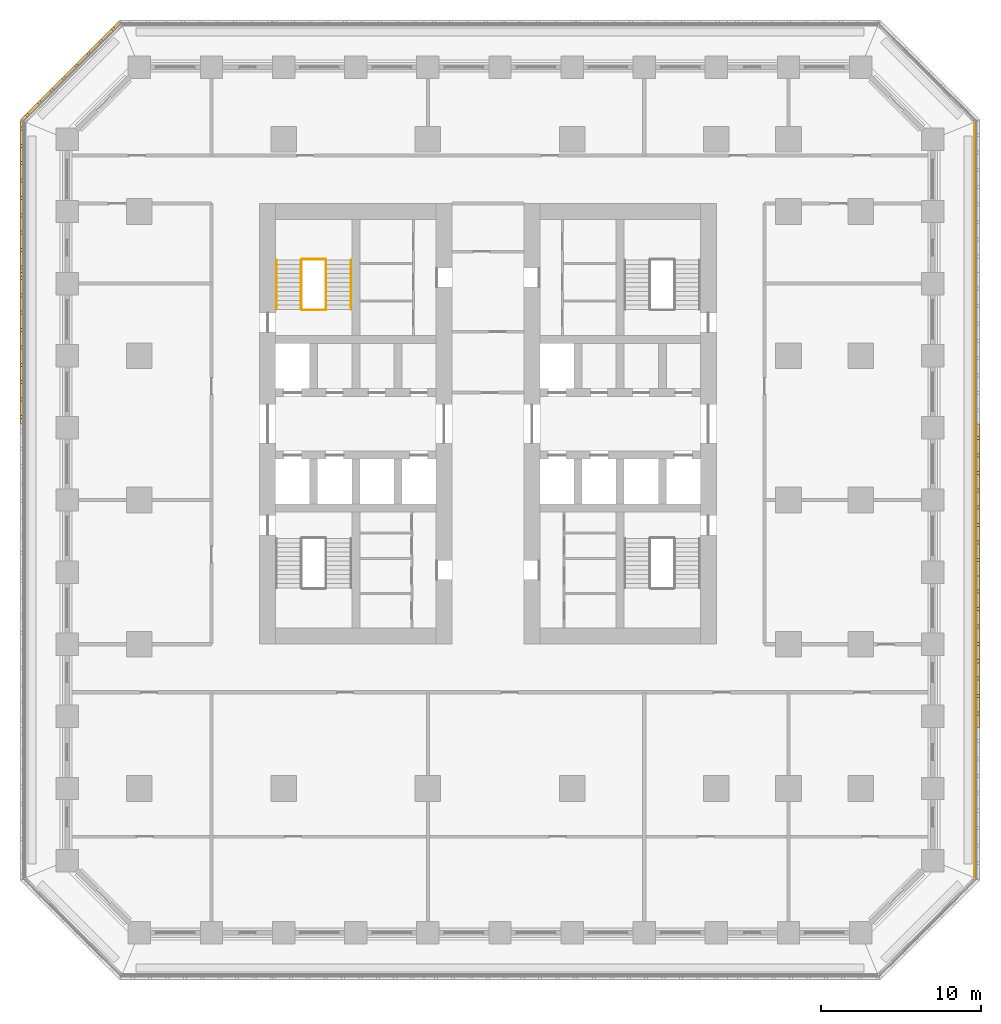
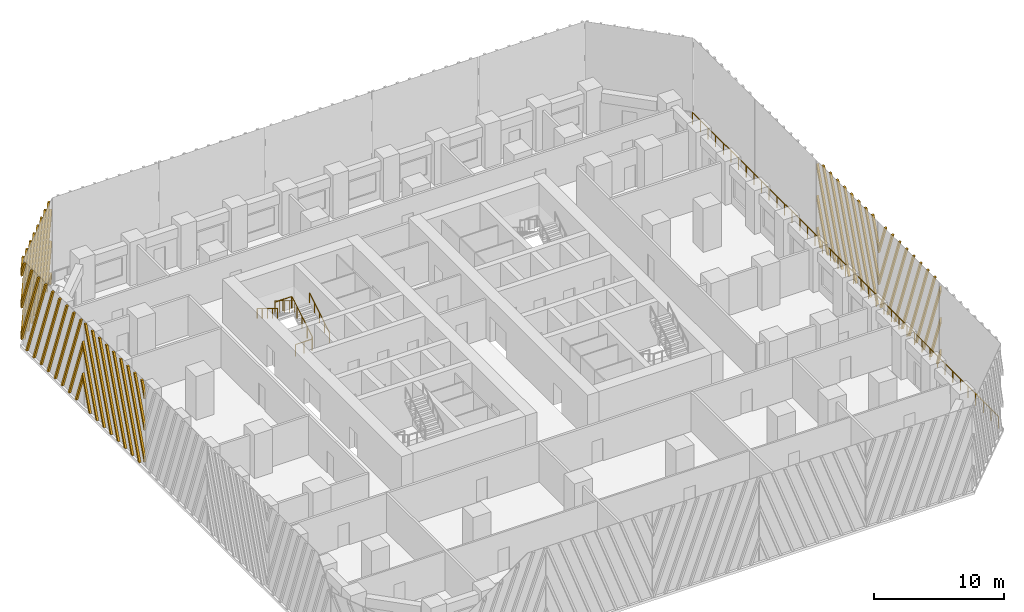
# One storey, part 11 of 14: 7 railings, 5 shading devices.
"""IFC4 building model written with IfcOpenShell, lengths in metres."""

from ifc_helpers import new_model, si_unit, direction, frame, origin, origin_2d, place, context, subcontext, project, spatial, polyline, circle, outline, extrude, source, transform, mapped, material, type_object, element, save


model = new_model("IFC4")

# Units and contexts
model_context = context("Model", 3, precision=1e-05, world=origin(), true_north=direction((0.0, 1.0)))
body_context = subcontext(model_context, "Body", "Model", "MODEL_VIEW")
ifc_project = project(units=[si_unit("LENGTHUNIT", "METRE"), si_unit("AREAUNIT", "SQUARE_METRE"), si_unit("VOLUMEUNIT", "CUBIC_METRE"), si_unit("PLANEANGLEUNIT", "RADIAN"), si_unit("MASSUNIT", "GRAM", prefix="KILO")], contexts=[model_context])

# Site, building, storey
site_placement = place(None, origin())
site = spatial("IfcSite", under=ifc_project, at=site_placement, CompositionType="ELEMENT")
building_placement = place(site_placement, origin())
building = spatial("IfcBuilding", under=site, at=building_placement, Name="Corbel Stack Research Tower", CompositionType="ELEMENT")
storey_placement = place(building_placement, frame((0.0, 0.0, 50.10009765625)))
storey = spatial("IfcBuildingStorey", under=building, at=storey_placement, Name="L11", CompositionType="ELEMENT", Elevation=50.10009765625)

# Railings
ifc_material_1 = material(Name="Steel S355", Category="steel")
railing_type_1 = type_object("IfcRailingType", Name="Stair guard 1100", PredefinedType="GUARDRAIL", material=ifc_material_1)
railing_1_placement = place(storey_placement, frame((-6.35009765625, 11.89990234375, 0.170654296875)))
element("IfcRailing", 1, at=railing_1_placement, inside=storey, type_object=railing_type_1, Name="L11 ST-W2 stair guard 1", PredefinedType="GUARDRAIL", context=body_context, shape_type="SweptSolid", body=[
    extrude(circle(Radius=0.02392578125, at=origin_2d()), frame((0.0, 0.0, 1.076171875), z_axis=(0.0, 0.853666305674, 0.52082035152), x_axis=(-1.0, 0.0, 0.0)), (0.0, 0.0, 1.0), 3.608154296875),
    extrude(circle(Radius=0.02099609375, at=origin_2d()), origin(), (0.0, 0.0, 1.0), 1.052001953125),
    extrude(circle(Radius=0.02099609375, at=origin_2d()), frame((0.0, 0.77001953125, 0.4697265625)), (0.0, 0.0, 1.0), 1.052001953125),
    extrude(circle(Radius=0.02099609375, at=origin_2d()), frame((0.0, 1.5400390625, 0.939453125)), (0.0, 0.0, 1.0), 1.052001953125),
    extrude(circle(Radius=0.02099609375, at=origin_2d()), frame((0.0, 2.31005859375, 1.409423828125)), (0.0, 0.0, 1.0), 1.052001953125),
    extrude(circle(Radius=0.02099609375, at=origin_2d()), frame((0.0, 3.080078125, 1.879150390625)), (0.0, 0.0, 1.0), 1.052001953125),
])
railing_2_placement = place(storey_placement, frame((-6.39990234375, 15.030029296875, 2.0498046875)))
element("IfcRailing", 2, at=railing_2_placement, inside=storey, type_object=railing_type_1, Name="L11 ST-W2 stair guard 2", PredefinedType="GUARDRAIL", context=body_context, shape_type="SweptSolid", body=[
    extrude(circle(Radius=0.02392578125, at=origin_2d()), frame((0.0, 0.0, 1.076171875), z_axis=(-1.0, 0.0, 0.0), x_axis=(0.0, -1.0, 0.0)), (0.0, 0.0, 1.0), 1.4501953125),
    extrude(circle(Radius=0.02099609375, at=origin_2d()), origin(), (0.0, 0.0, 1.0), 1.052001953125),
    extrude(circle(Radius=0.02099609375, at=origin_2d()), frame((-0.72509765625, 0.0, 0.0)), (0.0, 0.0, 1.0), 1.052001953125),
    extrude(circle(Radius=0.02099609375, at=origin_2d()), frame((-1.4501953125, 0.0, 0.0)), (0.0, 0.0, 1.0), 1.052001953125),
])
railing_3_placement = place(storey_placement, frame((-7.89990234375, 14.97998046875, 2.220703125)))
element("IfcRailing", 3, at=railing_3_placement, inside=storey, type_object=railing_type_1, Name="L11 ST-W2 stair guard 3", PredefinedType="GUARDRAIL", context=body_context, shape_type="SweptSolid", body=[
    extrude(circle(Radius=0.02392578125, at=origin_2d()), frame((0.0, 0.0, 1.076171875), z_axis=(0.0, -0.853666305674, 0.52082035152), x_axis=(1.0, 0.0, 0.0)), (0.0, 0.0, 1.0), 3.608154296875),
    extrude(circle(Radius=0.02099609375, at=origin_2d()), origin(), (0.0, 0.0, 1.0), 1.052001953125),
    extrude(circle(Radius=0.02099609375, at=origin_2d()), frame((0.0, -0.77001953125, 0.4697265625)), (0.0, 0.0, 1.0), 1.052001953125),
    extrude(circle(Radius=0.02099609375, at=origin_2d()), frame((0.0, -1.5400390625, 0.939453125)), (0.0, 0.0, 1.0), 1.052001953125),
    extrude(circle(Radius=0.02099609375, at=origin_2d()), frame((0.0, -2.31005859375, 1.409423828125)), (0.0, 0.0, 1.0), 1.052001953125),
    extrude(circle(Radius=0.02099609375, at=origin_2d()), frame((0.0, -3.080078125, 1.879150390625)), (0.0, 0.0, 1.0), 1.052001953125),
])
railing_4_placement = place(storey_placement, frame((-6.39990234375, 11.85009765625, 0.0)))
element("IfcRailing", 4, at=railing_4_placement, inside=storey, type_object=railing_type_1, Name="L11 ST-W2 stair guard 4", PredefinedType="GUARDRAIL", context=body_context, shape_type="SweptSolid", body=[
    extrude(circle(Radius=0.02392578125, at=origin_2d()), frame((0.0, 0.0, 1.076171875), z_axis=(-1.0, 0.0, 0.0), x_axis=(0.0, -1.0, 0.0)), (0.0, 0.0, 1.0), 1.4501953125),
    extrude(circle(Radius=0.02099609375, at=origin_2d()), origin(), (0.0, 0.0, 1.0), 1.052001953125),
    extrude(circle(Radius=0.02099609375, at=origin_2d()), frame((-0.72509765625, 0.0, 0.0)), (0.0, 0.0, 1.0), 1.052001953125),
    extrude(circle(Radius=0.02099609375, at=origin_2d()), frame((-1.4501953125, 0.0, 0.0)), (0.0, 0.0, 1.0), 1.052001953125),
])
ifc_material_2 = material(Name="Steel S355", Category="steel")
railing_type_2 = type_object("IfcRailingType", Name="Stair handrail 900", PredefinedType="HANDRAIL", material=ifc_material_2)
railing_5_placement = place(storey_placement, frame((-4.800048828125, 11.89990234375, 0.170654296875)))
element("IfcRailing", 5, at=railing_5_placement, inside=storey, type_object=railing_type_2, Name="L11 ST-W2 stair handrail 1", PredefinedType="HANDRAIL", context=body_context, shape_type="SweptSolid", body=[
    extrude(circle(Radius=0.02392578125, at=origin_2d()), frame((0.0, 0.0, 0.8759765625), z_axis=(0.0, 0.853666305674, 0.52082035152), x_axis=(-1.0, 0.0, 0.0)), (0.0, 0.0, 1.0), 3.608154296875),
    extrude(circle(Radius=0.02099609375, at=origin_2d()), origin(), (0.0, 0.0, 1.0), 0.851806640625),
    extrude(circle(Radius=0.02099609375, at=origin_2d()), frame((0.0, 0.77001953125, 0.4697265625)), (0.0, 0.0, 1.0), 0.851806640625),
    extrude(circle(Radius=0.02099609375, at=origin_2d()), frame((0.0, 1.5400390625, 0.939453125)), (0.0, 0.0, 1.0), 0.851806640625),
    extrude(circle(Radius=0.02099609375, at=origin_2d()), frame((0.0, 2.31005859375, 1.409423828125)), (0.0, 0.0, 1.0), 0.851806640625),
    extrude(circle(Radius=0.02099609375, at=origin_2d()), frame((0.0, 3.080078125, 1.879150390625)), (0.0, 0.0, 1.0), 0.851806640625),
])
railing_6_placement = place(storey_placement, frame((-9.449951171875, 14.97998046875, 2.220703125)))
element("IfcRailing", 6, at=railing_6_placement, inside=storey, type_object=railing_type_2, Name="L11 ST-W2 stair handrail 2", PredefinedType="HANDRAIL", context=body_context, shape_type="SweptSolid", body=[
    extrude(circle(Radius=0.02392578125, at=origin_2d()), frame((0.0, 0.0, 0.8759765625), z_axis=(0.0, -0.853666305674, 0.52082035152), x_axis=(1.0, 0.0, 0.0)), (0.0, 0.0, 1.0), 3.608154296875),
    extrude(circle(Radius=0.02099609375, at=origin_2d()), origin(), (0.0, 0.0, 1.0), 0.851806640625),
    extrude(circle(Radius=0.02099609375, at=origin_2d()), frame((0.0, -0.77001953125, 0.4697265625)), (0.0, 0.0, 1.0), 0.851806640625),
    extrude(circle(Radius=0.02099609375, at=origin_2d()), frame((0.0, -1.5400390625, 0.939453125)), (0.0, 0.0, 1.0), 0.851806640625),
    extrude(circle(Radius=0.02099609375, at=origin_2d()), frame((0.0, -2.31005859375, 1.409423828125)), (0.0, 0.0, 1.0), 0.851806640625),
    extrude(circle(Radius=0.02099609375, at=origin_2d()), frame((0.0, -3.080078125, 1.879150390625)), (0.0, 0.0, 1.0), 0.851806640625),
])
ifc_material_3 = material(Name="Powder-coated steel guard", Category="steel")
railing_type_3 = type_object("IfcRailingType", Name="Steel and glass guard 1100", PredefinedType="GUARDRAIL", material=ifc_material_3)
railing_7_placement = place(storey_placement, frame((34.10009765625, -23.50537109375, 0.0)))
element("IfcRailing", 7, at=railing_7_placement, inside=storey, type_object=railing_type_3, Name="Loggia guard L11 E", PredefinedType="GUARDRAIL", context=body_context, shape_type="SweptSolid", body=[
    extrude(circle(Radius=0.02392578125, at=origin_2d()), frame((0.0, 0.0, 1.076171875), z_axis=(0.0, 1.0, 0.0), x_axis=(-1.0, 0.0, 0.0)), (0.0, 0.0, 1.0), 47.0107421875),
    extrude(circle(Radius=0.02099609375, at=origin_2d()), origin(), (0.0, 0.0, 1.0), 1.052001953125),
    extrude(circle(Radius=0.02099609375, at=origin_2d()), frame((0.0, 1.17529296875, 0.0)), (0.0, 0.0, 1.0), 1.052001953125),
    extrude(circle(Radius=0.02099609375, at=origin_2d()), frame((0.0, 2.3505859375, 0.0)), (0.0, 0.0, 1.0), 1.052001953125),
    extrude(circle(Radius=0.02099609375, at=origin_2d()), frame((0.0, 3.52587890625, 0.0)), (0.0, 0.0, 1.0), 1.052001953125),
    extrude(circle(Radius=0.02099609375, at=origin_2d()), frame((0.0, 4.701171875, 0.0)), (0.0, 0.0, 1.0), 1.052001953125),
    extrude(circle(Radius=0.02099609375, at=origin_2d()), frame((0.0, 5.87646484375, 0.0)), (0.0, 0.0, 1.0), 1.052001953125),
    extrude(circle(Radius=0.02099609375, at=origin_2d()), frame((0.0, 7.051513671875, 0.0)), (0.0, 0.0, 1.0), 1.052001953125),
    extrude(circle(Radius=0.02099609375, at=origin_2d()), frame((0.0, 8.226806640625, 0.0)), (0.0, 0.0, 1.0), 1.052001953125),
    extrude(circle(Radius=0.02099609375, at=origin_2d()), frame((0.0, 9.402099609375, 0.0)), (0.0, 0.0, 1.0), 1.052001953125),
    extrude(circle(Radius=0.02099609375, at=origin_2d()), frame((0.0, 10.577392578125, 0.0)), (0.0, 0.0, 1.0), 1.052001953125),
    extrude(circle(Radius=0.02099609375, at=origin_2d()), frame((0.0, 11.752685546875, 0.0)), (0.0, 0.0, 1.0), 1.052001953125),
    extrude(circle(Radius=0.02099609375, at=origin_2d()), frame((0.0, 12.927978515625, 0.0)), (0.0, 0.0, 1.0), 1.052001953125),
    extrude(circle(Radius=0.02099609375, at=origin_2d()), frame((0.0, 14.103271484375, 0.0)), (0.0, 0.0, 1.0), 1.052001953125),
    extrude(circle(Radius=0.02099609375, at=origin_2d()), frame((0.0, 15.278564453125, 0.0)), (0.0, 0.0, 1.0), 1.052001953125),
    extrude(circle(Radius=0.02099609375, at=origin_2d()), frame((0.0, 16.453857421875, 0.0)), (0.0, 0.0, 1.0), 1.052001953125),
    extrude(circle(Radius=0.02099609375, at=origin_2d()), frame((0.0, 17.62890625, 0.0)), (0.0, 0.0, 1.0), 1.052001953125),
    extrude(circle(Radius=0.02099609375, at=origin_2d()), frame((0.0, 18.80419921875, 0.0)), (0.0, 0.0, 1.0), 1.052001953125),
    extrude(circle(Radius=0.02099609375, at=origin_2d()), frame((0.0, 19.9794921875, 0.0)), (0.0, 0.0, 1.0), 1.052001953125),
    extrude(circle(Radius=0.02099609375, at=origin_2d()), frame((0.0, 21.15478515625, 0.0)), (0.0, 0.0, 1.0), 1.052001953125),
    extrude(circle(Radius=0.02099609375, at=origin_2d()), frame((0.0, 22.330078125, 0.0)), (0.0, 0.0, 1.0), 1.052001953125),
    extrude(circle(Radius=0.02099609375, at=origin_2d()), frame((0.0, 23.50537109375, 0.0)), (0.0, 0.0, 1.0), 1.052001953125),
    extrude(circle(Radius=0.02099609375, at=origin_2d()), frame((0.0, 24.6806640625, 0.0)), (0.0, 0.0, 1.0), 1.052001953125),
    extrude(circle(Radius=0.02099609375, at=origin_2d()), frame((0.0, 25.85595703125, 0.0)), (0.0, 0.0, 1.0), 1.052001953125),
    extrude(circle(Radius=0.02099609375, at=origin_2d()), frame((0.0, 27.03125, 0.0)), (0.0, 0.0, 1.0), 1.052001953125),
    extrude(circle(Radius=0.02099609375, at=origin_2d()), frame((0.0, 28.20654296875, 0.0)), (0.0, 0.0, 1.0), 1.052001953125),
    extrude(circle(Radius=0.02099609375, at=origin_2d()), frame((0.0, 29.3818359375, 0.0)), (0.0, 0.0, 1.0), 1.052001953125),
    extrude(circle(Radius=0.02099609375, at=origin_2d()), frame((0.0, 30.556884765625, 0.0)), (0.0, 0.0, 1.0), 1.052001953125),
    extrude(circle(Radius=0.02099609375, at=origin_2d()), frame((0.0, 31.732177734375, 0.0)), (0.0, 0.0, 1.0), 1.052001953125),
    extrude(circle(Radius=0.02099609375, at=origin_2d()), frame((0.0, 32.907470703125, 0.0)), (0.0, 0.0, 1.0), 1.052001953125),
    extrude(circle(Radius=0.02099609375, at=origin_2d()), frame((0.0, 34.082763671875, 0.0)), (0.0, 0.0, 1.0), 1.052001953125),
    extrude(circle(Radius=0.02099609375, at=origin_2d()), frame((0.0, 35.258056640625, 0.0)), (0.0, 0.0, 1.0), 1.052001953125),
    extrude(circle(Radius=0.02099609375, at=origin_2d()), frame((0.0, 36.433349609375, 0.0)), (0.0, 0.0, 1.0), 1.052001953125),
    extrude(circle(Radius=0.02099609375, at=origin_2d()), frame((0.0, 37.608642578125, 0.0)), (0.0, 0.0, 1.0), 1.052001953125),
    extrude(circle(Radius=0.02099609375, at=origin_2d()), frame((0.0, 38.783935546875, 0.0)), (0.0, 0.0, 1.0), 1.052001953125),
    extrude(circle(Radius=0.02099609375, at=origin_2d()), frame((0.0, 39.959228515625, 0.0)), (0.0, 0.0, 1.0), 1.052001953125),
    extrude(circle(Radius=0.02099609375, at=origin_2d()), frame((0.0, 41.13427734375, 0.0)), (0.0, 0.0, 1.0), 1.052001953125),
    extrude(circle(Radius=0.02099609375, at=origin_2d()), frame((0.0, 42.3095703125, 0.0)), (0.0, 0.0, 1.0), 1.052001953125),
    extrude(circle(Radius=0.02099609375, at=origin_2d()), frame((0.0, 43.48486328125, 0.0)), (0.0, 0.0, 1.0), 1.052001953125),
    extrude(circle(Radius=0.02099609375, at=origin_2d()), frame((0.0, 44.66015625, 0.0)), (0.0, 0.0, 1.0), 1.052001953125),
    extrude(circle(Radius=0.02099609375, at=origin_2d()), frame((0.0, 45.83544921875, 0.0)), (0.0, 0.0, 1.0), 1.052001953125),
    extrude(circle(Radius=0.02099609375, at=origin_2d()), frame((0.0, 47.0107421875, 0.0)), (0.0, 0.0, 1.0), 1.052001953125),
])

# Shading devices
ifc_material_4 = material(Name="Precast terracotta", Category="masonry")
shading_device_type = type_object("IfcShadingDeviceType", Name="Terracotta screen panel", PredefinedType="USERDEFINED", material=ifc_material_4)
shared_shape_1 = source(origin(), body_context, "Body", "SweptSolid", [
    extrude(outline(polyline([(1.09033203125, 7.949951171875), (0.900390625, 7.949951171875), (0.0, 5.476318359375), (0.0, 4.9541015625), (1.09033203125, 7.949951171875)])), frame((0.0, 0.0, 0.0), z_axis=(0.0, -1.0, 0.0), x_axis=(1.0, 0.0, 0.0)), (0.0, 0.0, 1.0), 0.179931640625),
    extrude(outline(polyline([(2.175048828125, 7.949951171875), (1.985107421875, 7.949951171875), (0.0, 2.49609375), (0.0, 1.97412109375), (2.175048828125, 7.949951171875)])), frame((0.0, 0.0, 0.0), z_axis=(0.0, -1.0, 0.0), x_axis=(1.0, 0.0, 0.0)), (0.0, 0.0, 1.0), 0.179931640625),
    extrude(outline(polyline([(0.3662109375, 0.0), (3.259765625, 7.949951171875), (3.069580078125, 7.949951171875), (0.17626953125, 0.0), (0.3662109375, 0.0)])), frame((0.0, 0.0, 0.0), z_axis=(0.0, -1.0, 0.0), x_axis=(1.0, 0.0, 0.0)), (0.0, 0.0, 1.0), 0.179931640625),
    extrude(outline(polyline([(1.45068359375, 0.0), (4.344482421875, 7.949951171875), (4.154296875, 7.949951171875), (1.2607421875, 0.0), (1.45068359375, 0.0)])), frame((0.0, 0.0, 0.0), z_axis=(0.0, -1.0, 0.0), x_axis=(1.0, 0.0, 0.0)), (0.0, 0.0, 1.0), 0.179931640625),
    extrude(outline(polyline([(2.535400390625, 0.0), (5.42919921875, 7.949951171875), (5.239013671875, 7.949951171875), (2.345458984375, 0.0), (2.535400390625, 0.0)])), frame((0.0, 0.0, 0.0), z_axis=(0.0, -1.0, 0.0), x_axis=(1.0, 0.0, 0.0)), (0.0, 0.0, 1.0), 0.179931640625),
    extrude(outline(polyline([(3.6201171875, 0.0), (6.513671875, 7.949951171875), (6.32373046875, 7.949951171875), (3.43017578125, 0.0), (3.6201171875, 0.0)])), frame((0.0, 0.0, 0.0), z_axis=(0.0, -1.0, 0.0), x_axis=(1.0, 0.0, 0.0)), (0.0, 0.0, 1.0), 0.179931640625),
    extrude(outline(polyline([(4.704833984375, 0.0), (7.598388671875, 7.949951171875), (7.408447265625, 7.949951171875), (4.514892578125, 0.0), (4.704833984375, 0.0)])), frame((0.0, 0.0, 0.0), z_axis=(0.0, -1.0, 0.0), x_axis=(1.0, 0.0, 0.0)), (0.0, 0.0, 1.0), 0.179931640625),
    extrude(outline(polyline([(5.78955078125, 0.0), (8.68310546875, 7.949951171875), (8.4931640625, 7.949951171875), (5.599609375, 0.0), (5.78955078125, 0.0)])), frame((0.0, 0.0, 0.0), z_axis=(0.0, -1.0, 0.0), x_axis=(1.0, 0.0, 0.0)), (0.0, 0.0, 1.0), 0.179931640625),
    extrude(outline(polyline([(6.874267578125, 0.0), (9.45556640625, 7.092529296875), (9.45556640625, 7.614501953125), (6.68408203125, 0.0), (6.874267578125, 0.0)])), frame((0.0, 0.0, 0.0), z_axis=(0.0, -1.0, 0.0), x_axis=(1.0, 0.0, 0.0)), (0.0, 0.0, 1.0), 0.179931640625),
    extrude(outline(polyline([(7.958740234375, 0.0), (9.45556640625, 4.1123046875), (9.45556640625, 4.634521484375), (7.768798828125, 0.0), (7.958740234375, 0.0)])), frame((0.0, 0.0, 0.0), z_axis=(0.0, -1.0, 0.0), x_axis=(1.0, 0.0, 0.0)), (0.0, 0.0, 1.0), 0.179931640625),
    extrude(outline(polyline([(9.04345703125, 0.0), (9.45556640625, 1.13232421875), (9.45556640625, 1.654296875), (8.853515625, 0.0), (9.04345703125, 0.0)])), frame((0.0, 0.0, 0.0), z_axis=(0.0, -1.0, 0.0), x_axis=(1.0, 0.0, 0.0)), (0.0, 0.0, 1.0), 0.179931640625),
])
shading_device_1_placement = place(storey_placement, frame((34.25, -4.727783203125, 0.0), z_axis=(0.0, 0.0, 1.0), x_axis=(0.0, 1.0, 0.0)))
element("IfcShadingDevice", 8, at=shading_device_1_placement, inside=storey, type_object=shading_device_type, Name="Terracotta screen L11 E3", ObjectType="SCREEN", PredefinedType="USERDEFINED", context=body_context, shape_type="MappedRepresentation", body=[
    mapped(shared_shape_1, transform((0.0, 0.0, 0.0))),
])
shared_shape_2 = source(origin(), body_context, "Body", "SweptSolid", [
    extrude(outline(polyline([(0.60205078125, 0.0), (0.0, 1.654296875), (0.0, 1.13232421875), (0.412109375, 0.0), (0.60205078125, 0.0)])), frame((0.0, 0.0, 0.0), z_axis=(0.0, -1.0, 0.0), x_axis=(1.0, 0.0, 0.0)), (0.0, 0.0, 1.0), 0.179931640625),
    extrude(outline(polyline([(1.686767578125, 0.0), (0.0, 4.634521484375), (0.0, 4.1123046875), (1.496826171875, 0.0), (1.686767578125, 0.0)])), frame((0.0, 0.0, 0.0), z_axis=(0.0, -1.0, 0.0), x_axis=(1.0, 0.0, 0.0)), (0.0, 0.0, 1.0), 0.179931640625),
    extrude(outline(polyline([(2.771484375, 0.0), (0.0, 7.614501953125), (0.0, 7.092529296875), (2.58154296875, 0.0), (2.771484375, 0.0)])), frame((0.0, 0.0, 0.0), z_axis=(0.0, -1.0, 0.0), x_axis=(1.0, 0.0, 0.0)), (0.0, 0.0, 1.0), 0.179931640625),
    extrude(outline(polyline([(3.856201171875, 0.0), (0.962646484375, 7.949951171875), (0.772705078125, 7.949951171875), (3.666015625, 0.0), (3.856201171875, 0.0)])), frame((0.0, 0.0, 0.0), z_axis=(0.0, -1.0, 0.0), x_axis=(1.0, 0.0, 0.0)), (0.0, 0.0, 1.0), 0.179931640625),
    extrude(outline(polyline([(4.94091796875, 0.0), (2.047119140625, 7.949951171875), (1.857177734375, 7.949951171875), (4.750732421875, 0.0), (4.94091796875, 0.0)])), frame((0.0, 0.0, 0.0), z_axis=(0.0, -1.0, 0.0), x_axis=(1.0, 0.0, 0.0)), (0.0, 0.0, 1.0), 0.179931640625),
    extrude(outline(polyline([(6.025390625, 0.0), (3.1318359375, 7.949951171875), (2.94189453125, 7.949951171875), (5.83544921875, 0.0), (6.025390625, 0.0)])), frame((0.0, 0.0, 0.0), z_axis=(0.0, -1.0, 0.0), x_axis=(1.0, 0.0, 0.0)), (0.0, 0.0, 1.0), 0.179931640625),
    extrude(outline(polyline([(7.110107421875, 0.0), (4.216552734375, 7.949951171875), (4.026611328125, 7.949951171875), (6.920166015625, 0.0), (7.110107421875, 0.0)])), frame((0.0, 0.0, 0.0), z_axis=(0.0, -1.0, 0.0), x_axis=(1.0, 0.0, 0.0)), (0.0, 0.0, 1.0), 0.179931640625),
    extrude(outline(polyline([(8.19482421875, 0.0), (5.30126953125, 7.949951171875), (5.111083984375, 7.949951171875), (8.0048828125, 0.0), (8.19482421875, 0.0)])), frame((0.0, 0.0, 0.0), z_axis=(0.0, -1.0, 0.0), x_axis=(1.0, 0.0, 0.0)), (0.0, 0.0, 1.0), 0.179931640625),
    extrude(outline(polyline([(9.279541015625, 0.0), (6.385986328125, 7.949951171875), (6.19580078125, 7.949951171875), (9.089599609375, 0.0), (9.279541015625, 0.0)])), frame((0.0, 0.0, 0.0), z_axis=(0.0, -1.0, 0.0), x_axis=(1.0, 0.0, 0.0)), (0.0, 0.0, 1.0), 0.179931640625),
    extrude(outline(polyline([(7.470703125, 7.949951171875), (7.280517578125, 7.949951171875), (9.45556640625, 1.97412109375), (9.45556640625, 2.49609375), (7.470703125, 7.949951171875)])), frame((0.0, 0.0, 0.0), z_axis=(0.0, -1.0, 0.0), x_axis=(1.0, 0.0, 0.0)), (0.0, 0.0, 1.0), 0.179931640625),
    extrude(outline(polyline([(8.55517578125, 7.949951171875), (8.365234375, 7.949951171875), (9.45556640625, 4.9541015625), (9.45556640625, 5.476318359375), (8.55517578125, 7.949951171875)])), frame((0.0, 0.0, 0.0), z_axis=(0.0, -1.0, 0.0), x_axis=(1.0, 0.0, 0.0)), (0.0, 0.0, 1.0), 0.179931640625),
])
shading_device_2_placement = place(storey_placement, frame((34.25, -14.18359375, 0.0), z_axis=(0.0, 0.0, 1.0), x_axis=(0.0, 1.0, 0.0)))
element("IfcShadingDevice", 9, at=shading_device_2_placement, inside=storey, type_object=shading_device_type, Name="Terracotta screen L11 E2", ObjectType="SCREEN", PredefinedType="USERDEFINED", context=body_context, shape_type="MappedRepresentation", body=[
    mapped(shared_shape_2, transform((0.0, 0.0, 0.0))),
])
shared_shape_3 = source(origin(), body_context, "Body", "SweptSolid", [
    extrude(outline(polyline([(0.548095703125, 7.949951171875), (0.358154296875, 7.949951171875), (0.0, 6.96630859375), (0.0, 6.444091796875), (0.548095703125, 7.949951171875)])), frame((0.0, 0.0, 0.0), z_axis=(0.0, -1.0, 0.0), x_axis=(1.0, 0.0, 0.0)), (0.0, 0.0, 1.0), 0.179931640625),
    extrude(outline(polyline([(1.6328125, 7.949951171875), (1.442626953125, 7.949951171875), (0.0, 3.986083984375), (0.0, 3.464111328125), (1.6328125, 7.949951171875)])), frame((0.0, 0.0, 0.0), z_axis=(0.0, -1.0, 0.0), x_axis=(1.0, 0.0, 0.0)), (0.0, 0.0, 1.0), 0.179931640625),
    extrude(outline(polyline([(2.71728515625, 7.949951171875), (2.52734375, 7.949951171875), (0.0, 1.006103515625), (0.0, 0.48388671875), (2.71728515625, 7.949951171875)])), frame((0.0, 0.0, 0.0), z_axis=(0.0, -1.0, 0.0), x_axis=(1.0, 0.0, 0.0)), (0.0, 0.0, 1.0), 0.179931640625),
    extrude(outline(polyline([(0.908447265625, 0.0), (3.802001953125, 7.949951171875), (3.612060546875, 7.949951171875), (0.718505859375, 0.0), (0.908447265625, 0.0)])), frame((0.0, 0.0, 0.0), z_axis=(0.0, -1.0, 0.0), x_axis=(1.0, 0.0, 0.0)), (0.0, 0.0, 1.0), 0.179931640625),
    extrude(outline(polyline([(1.9931640625, 0.0), (4.88671875, 7.949951171875), (4.69677734375, 7.949951171875), (1.80322265625, 0.0), (1.9931640625, 0.0)])), frame((0.0, 0.0, 0.0), z_axis=(0.0, -1.0, 0.0), x_axis=(1.0, 0.0, 0.0)), (0.0, 0.0, 1.0), 0.179931640625),
    extrude(outline(polyline([(3.077880859375, 0.0), (5.971435546875, 7.949951171875), (5.781494140625, 7.949951171875), (2.8876953125, 0.0), (3.077880859375, 0.0)])), frame((0.0, 0.0, 0.0), z_axis=(0.0, -1.0, 0.0), x_axis=(1.0, 0.0, 0.0)), (0.0, 0.0, 1.0), 0.179931640625),
    extrude(outline(polyline([(4.16259765625, 0.0), (7.05615234375, 7.949951171875), (6.8662109375, 7.949951171875), (3.972412109375, 0.0), (4.16259765625, 0.0)])), frame((0.0, 0.0, 0.0), z_axis=(0.0, -1.0, 0.0), x_axis=(1.0, 0.0, 0.0)), (0.0, 0.0, 1.0), 0.179931640625),
    extrude(outline(polyline([(5.247314453125, 0.0), (8.140625, 7.949951171875), (7.95068359375, 7.949951171875), (5.05712890625, 0.0), (5.247314453125, 0.0)])), frame((0.0, 0.0, 0.0), z_axis=(0.0, -1.0, 0.0), x_axis=(1.0, 0.0, 0.0)), (0.0, 0.0, 1.0), 0.179931640625),
    extrude(outline(polyline([(6.331787109375, 0.0), (9.225341796875, 7.949951171875), (9.035400390625, 7.949951171875), (6.141845703125, 0.0), (6.331787109375, 0.0)])), frame((0.0, 0.0, 0.0), z_axis=(0.0, -1.0, 0.0), x_axis=(1.0, 0.0, 0.0)), (0.0, 0.0, 1.0), 0.179931640625),
    extrude(outline(polyline([(7.41650390625, 0.0), (9.45556640625, 5.6025390625), (9.45556640625, 6.12451171875), (7.2265625, 0.0), (7.41650390625, 0.0)])), frame((0.0, 0.0, 0.0), z_axis=(0.0, -1.0, 0.0), x_axis=(1.0, 0.0, 0.0)), (0.0, 0.0, 1.0), 0.179931640625),
    extrude(outline(polyline([(8.501220703125, 0.0), (9.45556640625, 2.622314453125), (9.45556640625, 3.144287109375), (8.311279296875, 0.0), (8.501220703125, 0.0)])), frame((0.0, 0.0, 0.0), z_axis=(0.0, -1.0, 0.0), x_axis=(1.0, 0.0, 0.0)), (0.0, 0.0, 1.0), 0.179931640625),
])
shading_device_3_placement = place(storey_placement, frame((-25.25, 23.63916015625, 0.0), z_axis=(0.0, 0.0, 1.0), x_axis=(0.0, -1.0, 0.0)))
element("IfcShadingDevice", 10, at=shading_device_3_placement, inside=storey, type_object=shading_device_type, Name="Terracotta screen L11 W1", ObjectType="SCREEN", PredefinedType="USERDEFINED", context=body_context, shape_type="MappedRepresentation", body=[
    mapped(shared_shape_3, transform((0.0, 0.0, 0.0))),
])
shared_shape_4 = source(origin(), body_context, "Body", "SweptSolid", [
    extrude(outline(polyline([(1.14453125, 0.0), (0.0, 3.144287109375), (0.0, 2.622314453125), (0.95458984375, 0.0), (1.14453125, 0.0)])), frame((0.0, 0.0, 0.0), z_axis=(0.0, -1.0, 0.0), x_axis=(1.0, 0.0, 0.0)), (0.0, 0.0, 1.0), 0.179931640625),
    extrude(outline(polyline([(2.22900390625, 0.0), (0.0, 6.12451171875), (0.0, 5.6025390625), (2.0390625, 0.0), (2.22900390625, 0.0)])), frame((0.0, 0.0, 0.0), z_axis=(0.0, -1.0, 0.0), x_axis=(1.0, 0.0, 0.0)), (0.0, 0.0, 1.0), 0.179931640625),
    extrude(outline(polyline([(3.313720703125, 0.0), (0.420166015625, 7.949951171875), (0.230224609375, 7.949951171875), (3.123779296875, 0.0), (3.313720703125, 0.0)])), frame((0.0, 0.0, 0.0), z_axis=(0.0, -1.0, 0.0), x_axis=(1.0, 0.0, 0.0)), (0.0, 0.0, 1.0), 0.179931640625),
    extrude(outline(polyline([(4.3984375, 0.0), (1.5048828125, 7.949951171875), (1.31494140625, 7.949951171875), (4.20849609375, 0.0), (4.3984375, 0.0)])), frame((0.0, 0.0, 0.0), z_axis=(0.0, -1.0, 0.0), x_axis=(1.0, 0.0, 0.0)), (0.0, 0.0, 1.0), 0.179931640625),
    extrude(outline(polyline([(5.483154296875, 0.0), (2.589599609375, 7.949951171875), (2.399658203125, 7.949951171875), (5.293212890625, 0.0), (5.483154296875, 0.0)])), frame((0.0, 0.0, 0.0), z_axis=(0.0, -1.0, 0.0), x_axis=(1.0, 0.0, 0.0)), (0.0, 0.0, 1.0), 0.179931640625),
    extrude(outline(polyline([(6.56787109375, 0.0), (3.67431640625, 7.949951171875), (3.484130859375, 7.949951171875), (6.377685546875, 0.0), (6.56787109375, 0.0)])), frame((0.0, 0.0, 0.0), z_axis=(0.0, -1.0, 0.0), x_axis=(1.0, 0.0, 0.0)), (0.0, 0.0, 1.0), 0.179931640625),
    extrude(outline(polyline([(7.652587890625, 0.0), (4.7587890625, 7.949951171875), (4.56884765625, 7.949951171875), (7.46240234375, 0.0), (7.652587890625, 0.0)])), frame((0.0, 0.0, 0.0), z_axis=(0.0, -1.0, 0.0), x_axis=(1.0, 0.0, 0.0)), (0.0, 0.0, 1.0), 0.179931640625),
    extrude(outline(polyline([(8.737060546875, 0.0), (5.843505859375, 7.949951171875), (5.653564453125, 7.949951171875), (8.547119140625, 0.0), (8.737060546875, 0.0)])), frame((0.0, 0.0, 0.0), z_axis=(0.0, -1.0, 0.0), x_axis=(1.0, 0.0, 0.0)), (0.0, 0.0, 1.0), 0.179931640625),
    extrude(outline(polyline([(6.92822265625, 7.949951171875), (6.73828125, 7.949951171875), (9.45556640625, 0.48388671875), (9.45556640625, 1.006103515625), (6.92822265625, 7.949951171875)])), frame((0.0, 0.0, 0.0), z_axis=(0.0, -1.0, 0.0), x_axis=(1.0, 0.0, 0.0)), (0.0, 0.0, 1.0), 0.179931640625),
    extrude(outline(polyline([(8.012939453125, 7.949951171875), (7.822998046875, 7.949951171875), (9.45556640625, 3.464111328125), (9.45556640625, 3.986083984375), (8.012939453125, 7.949951171875)])), frame((0.0, 0.0, 0.0), z_axis=(0.0, -1.0, 0.0), x_axis=(1.0, 0.0, 0.0)), (0.0, 0.0, 1.0), 0.179931640625),
    extrude(outline(polyline([(9.09765625, 7.949951171875), (8.90771484375, 7.949951171875), (9.45556640625, 6.444091796875), (9.45556640625, 6.96630859375), (9.09765625, 7.949951171875)])), frame((0.0, 0.0, 0.0), z_axis=(0.0, -1.0, 0.0), x_axis=(1.0, 0.0, 0.0)), (0.0, 0.0, 1.0), 0.179931640625),
])
shading_device_4_placement = place(storey_placement, frame((-25.25, 14.18359375, 0.0), z_axis=(0.0, 0.0, 1.0), x_axis=(0.0, -1.0, 0.0)))
element("IfcShadingDevice", 11, at=shading_device_4_placement, inside=storey, type_object=shading_device_type, Name="Terracotta screen L11 W2", ObjectType="SCREEN", PredefinedType="USERDEFINED", context=body_context, shape_type="MappedRepresentation", body=[
    mapped(shared_shape_4, transform((0.0, 0.0, 0.0))),
])
shared_shape_5 = source(origin(), body_context, "Body", "SweptSolid", [
    extrude(outline(polyline([(0.3310546875, 0.0), (0.0, 0.9091796875), (0.0, 0.38720703125), (0.14111328125, 0.0), (0.3310546875, 0.0)])), frame((0.0, 0.0, 0.0), z_axis=(0.0, -1.0, 0.0), x_axis=(1.0, 0.0, 0.0)), (0.0, 0.0, 1.0), 0.179931640625),
    extrude(outline(polyline([(1.41552734375, 0.0), (0.0, 3.889404296875), (0.0, 3.367431640625), (1.2255859375, 0.0), (1.41552734375, 0.0)])), frame((0.0, 0.0, 0.0), z_axis=(0.0, -1.0, 0.0), x_axis=(1.0, 0.0, 0.0)), (0.0, 0.0, 1.0), 0.179931640625),
    extrude(outline(polyline([(2.500244140625, 0.0), (0.0, 6.869384765625), (0.0, 6.347412109375), (2.310302734375, 0.0), (2.500244140625, 0.0)])), frame((0.0, 0.0, 0.0), z_axis=(0.0, -1.0, 0.0), x_axis=(1.0, 0.0, 0.0)), (0.0, 0.0, 1.0), 0.179931640625),
    extrude(outline(polyline([(3.5849609375, 0.0), (0.69140625, 7.949951171875), (0.50146484375, 7.949951171875), (3.39501953125, 0.0), (3.5849609375, 0.0)])), frame((0.0, 0.0, 0.0), z_axis=(0.0, -1.0, 0.0), x_axis=(1.0, 0.0, 0.0)), (0.0, 0.0, 1.0), 0.179931640625),
    extrude(outline(polyline([(4.669677734375, 0.0), (1.776123046875, 7.949951171875), (1.586181640625, 7.949951171875), (4.4794921875, 0.0), (4.669677734375, 0.0)])), frame((0.0, 0.0, 0.0), z_axis=(0.0, -1.0, 0.0), x_axis=(1.0, 0.0, 0.0)), (0.0, 0.0, 1.0), 0.179931640625),
    extrude(outline(polyline([(5.75439453125, 0.0), (2.860595703125, 7.949951171875), (2.670654296875, 7.949951171875), (5.564208984375, 0.0), (5.75439453125, 0.0)])), frame((0.0, 0.0, 0.0), z_axis=(0.0, -1.0, 0.0), x_axis=(1.0, 0.0, 0.0)), (0.0, 0.0, 1.0), 0.179931640625),
    extrude(outline(polyline([(6.839111328125, 0.0), (3.9453125, 7.949951171875), (3.75537109375, 7.949951171875), (6.64892578125, 0.0), (6.839111328125, 0.0)])), frame((0.0, 0.0, 0.0), z_axis=(0.0, -1.0, 0.0), x_axis=(1.0, 0.0, 0.0)), (0.0, 0.0, 1.0), 0.179931640625),
    extrude(outline(polyline([(7.923583984375, 0.0), (5.030029296875, 7.949951171875), (4.840087890625, 7.949951171875), (7.733642578125, 0.0), (7.923583984375, 0.0)])), frame((0.0, 0.0, 0.0), z_axis=(0.0, -1.0, 0.0), x_axis=(1.0, 0.0, 0.0)), (0.0, 0.0, 1.0), 0.179931640625),
    extrude(outline(polyline([(6.11474609375, 7.949951171875), (5.9248046875, 7.949951171875), (8.64208984375, 0.48388671875), (8.64208984375, 1.006103515625), (6.11474609375, 7.949951171875)])), frame((0.0, 0.0, 0.0), z_axis=(0.0, -1.0, 0.0), x_axis=(1.0, 0.0, 0.0)), (0.0, 0.0, 1.0), 0.179931640625),
    extrude(outline(polyline([(7.199462890625, 7.949951171875), (7.009521484375, 7.949951171875), (8.64208984375, 3.464111328125), (8.64208984375, 3.986083984375), (7.199462890625, 7.949951171875)])), frame((0.0, 0.0, 0.0), z_axis=(0.0, -1.0, 0.0), x_axis=(1.0, 0.0, 0.0)), (0.0, 0.0, 1.0), 0.179931640625),
    extrude(outline(polyline([(8.2841796875, 7.949951171875), (8.093994140625, 7.949951171875), (8.64208984375, 6.444091796875), (8.64208984375, 6.96630859375), (8.2841796875, 7.949951171875)])), frame((0.0, 0.0, 0.0), z_axis=(0.0, -1.0, 0.0), x_axis=(1.0, 0.0, 0.0)), (0.0, 0.0, 1.0), 0.179931640625),
])
shading_device_5_placement = place(storey_placement, frame((-19.13916015625, 29.75, 0.0), z_axis=(0.0, 0.0, 1.0), x_axis=(-0.707106781187, -0.707106781187, 0.0)))
element("IfcShadingDevice", 12, at=shading_device_5_placement, inside=storey, type_object=shading_device_type, Name="Terracotta screen L11 NW1", ObjectType="SCREEN", PredefinedType="USERDEFINED", context=body_context, shape_type="MappedRepresentation", body=[
    mapped(shared_shape_5, transform((0.0, 0.0, 0.0))),
])

save(model, "model.ifc")
